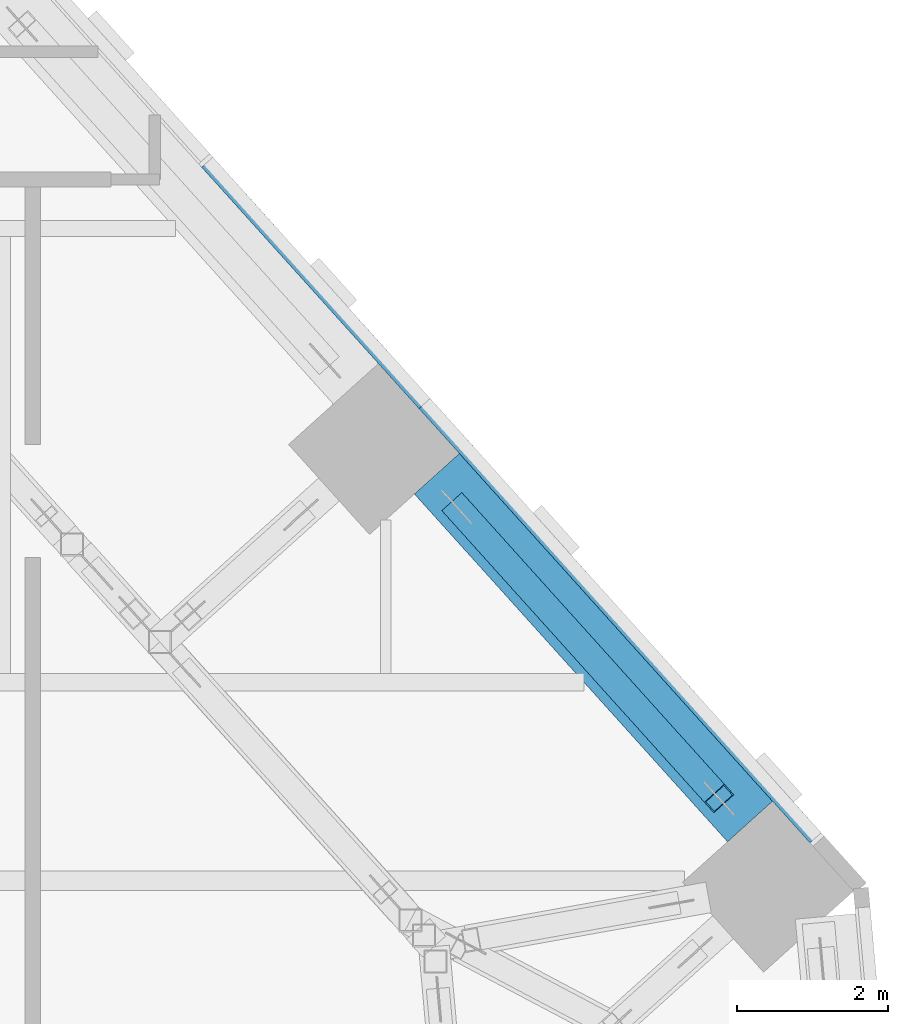
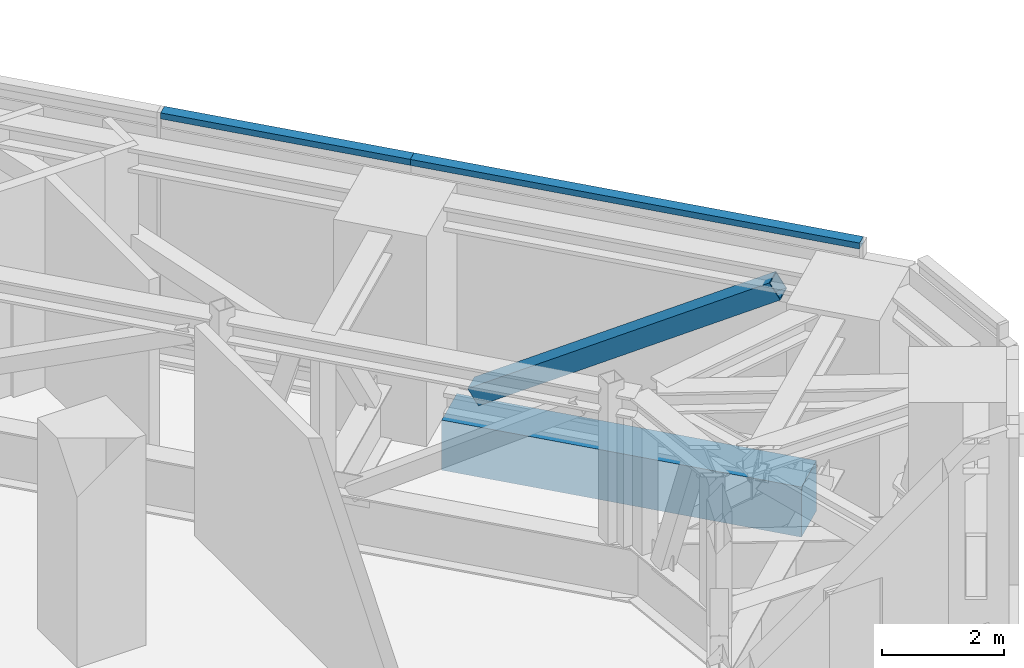
# One storey, part 17 of 36: 3 members, 1 beam, 1 element without a shape of its own.
"""IFC4 building model written with IfcOpenShell, lengths in metres."""

from ifc_helpers import new_model, si_unit, direction, frame, origin, origin_2d, place, context, subcontext, project, spatial, rectangle, hollow_rectangle, extrude, material, layer, layer_set, material_profile, profile_set, type_object, element, aggregate, save


model = new_model("IFC4")

# Units and contexts
model_context = context("Model", 3, precision=1e-05, world=origin(), true_north=direction((0.0, 1.0)))
body_context = subcontext(model_context, "Body", "Model", "MODEL_VIEW")
ifc_project = project(units=[si_unit("LENGTHUNIT", "METRE"), si_unit("AREAUNIT", "SQUARE_METRE"), si_unit("VOLUMEUNIT", "CUBIC_METRE"), si_unit("PLANEANGLEUNIT", "RADIAN"), si_unit("MASSUNIT", "GRAM", prefix="KILO")], contexts=[model_context])

# Site, building, storey
site_placement = place(None, origin())
site = spatial("IfcSite", under=ifc_project, at=site_placement, CompositionType="ELEMENT")
building_placement = place(site_placement, origin())
building = spatial("IfcBuilding", under=site, at=building_placement, Name="Isthmus Gate Tower", CompositionType="ELEMENT")
storey_placement = place(building_placement, frame((0.0, 0.0, 117.14990234375)))
storey = spatial("IfcBuildingStorey", under=building, at=storey_placement, Name="L28", CompositionType="ELEMENT", Elevation=117.14990234375)

# Curtain wall, members
ifc_material_1 = material(Name="Aluminium, pale champagne anodised", Category="aluminium")
ifc_layer = layer(ifc_material_1, 0.199951171875)
ifc_layer_set = layer_set([ifc_layer], Name="CW-2 LOUVRE CURTAIN WALL 200 DEEP")
curtain_wall_type = type_object("IfcCurtainWallType", Name="CW-2 LOUVRE CURTAIN WALL 200 DEEP", PredefinedType="NOTDEFINED", material=ifc_layer_set)
curtain_wall_placement = place(storey_placement, origin())
curtain_wall = element("IfcCurtainWall", 1, at=curtain_wall_placement, inside=storey, type_object=curtain_wall_type, Name="CW-2 NE L28", PredefinedType="NOTDEFINED")
ifc_material_2 = material(Name="Aluminium, pale champagne anodised", Category="aluminium")
ifc_material_profile_1 = material_profile(ifc_material_2, rectangle(XDim=0.199951171875, YDim=0.1201171875, at=origin_2d()), Name="200x120")
ifc_profile_set_1 = profile_set([ifc_material_profile_1], Name="Aluminium, pale champagne anodised")
member_type_1 = type_object("IfcMemberType", Name="CW-2 TRANSOM 200 X 120", PredefinedType="USERDEFINED", material=ifc_profile_set_1)
member_1_placement = place(storey_placement, frame((37.353515625, 5.4423828125, 4.440185546875), z_axis=(-0.669133991403, 0.743141777556, 0.0), x_axis=(-0.743141777556, -0.669133991403, 0.0)))
member_1 = element("IfcMember", 2, at=member_1_placement, type_object=member_type_1, Name="CW-2 transom", ObjectType="TRANSOM", PredefinedType="USERDEFINED", context=body_context, shape_type="SweptSolid", body=[
    extrude(rectangle(XDim=0.199951171875, YDim=0.1201171875, at=origin_2d()), origin(), (0.0, 0.0, 1.0), 7.729248046875),
])
member_2_placement = place(storey_placement, frame((32.181640625, 11.186279296875, 4.440185546875), z_axis=(-0.669131169216, 0.743144318678, 0.0), x_axis=(-0.743144318678, -0.669131169216, 0.0)))
member_2 = element("IfcMember", 3, at=member_2_placement, type_object=member_type_1, Name="CW-2 transom", ObjectType="TRANSOM", PredefinedType="USERDEFINED", context=body_context, shape_type="SweptSolid", body=[
    extrude(rectangle(XDim=0.199951171875, YDim=0.1201171875, at=origin_2d()), origin(), (0.0, 0.0, 1.0), 4.294677734375),
])
aggregate(curtain_wall, [member_1, member_2])

# Beam
ifc_material_3 = material(Name="Concrete f'c 70 MPa", Category="concrete")
ifc_material_profile_2 = material_profile(ifc_material_3, rectangle(XDim=0.800048828125, YDim=1.0, at=origin_2d()), Name="RC 800X1000")
ifc_profile_set_2 = profile_set([ifc_material_profile_2], Name="Concrete f'c 70 MPa")
beam_type = type_object("IfcBeamType", Name="RC SPANDREL 800 X 1000", PredefinedType="SPANDREL", material=ifc_profile_set_2)
beam_placement = place(storey_placement, frame((32.34521484375, 10.25732421875, -0.5), z_axis=(0.669139054219, -0.743137218903, 0.0), x_axis=(0.743137218903, 0.669139054219, 0.0)))
element("IfcBeam", 4, at=beam_placement, inside=storey, type_object=beam_type, Name="str-spandrel-L28-04", PredefinedType="SPANDREL", context=body_context, shape_type="SweptSolid", body=[
    extrude(rectangle(XDim=0.800048828125, YDim=1.0, at=origin_2d()), origin(), (0.0, 0.0, 1.0), 6.189453125),
])

# Member
ifc_material_4 = material(Name="Structural steel ASTM A500 Gr C", Category="steel")
ifc_material_profile_3 = material_profile(ifc_material_4, hollow_rectangle(XDim=0.355712890625, YDim=0.355712890625, WallThickness=0.017578125, at=origin_2d()), Name="HSS14X14X3/4")
ifc_profile_set_3 = profile_set([ifc_material_profile_3], Name="Structural steel ASTM A500 Gr C")
member_type_2 = type_object("IfcMemberType", Name="TRUSS DIAGONAL HSS14X14X3/4", PredefinedType="BRACE", material=ifc_profile_set_3)
member_3_placement = place(storey_placement, frame((32.60546875, 9.81884765625, 0.482666015625), z_axis=(0.567844455909, -0.630645505557, 0.528998034226), x_axis=(0.743139732164, 0.669136263014, 0.0)))
element("IfcMember", 5, at=member_3_placement, inside=storey, type_object=member_type_2, Name="str-belt04-L28-03", PredefinedType="BRACE", context=body_context, shape_type="SweptSolid", body=[
    extrude(hollow_rectangle(XDim=0.355712890625, YDim=0.355712890625, WallThickness=0.017578125, at=origin_2d()), origin(), (0.0, 0.0, 1.0), 6.114990234375),
])

save(model, "model.ifc")
